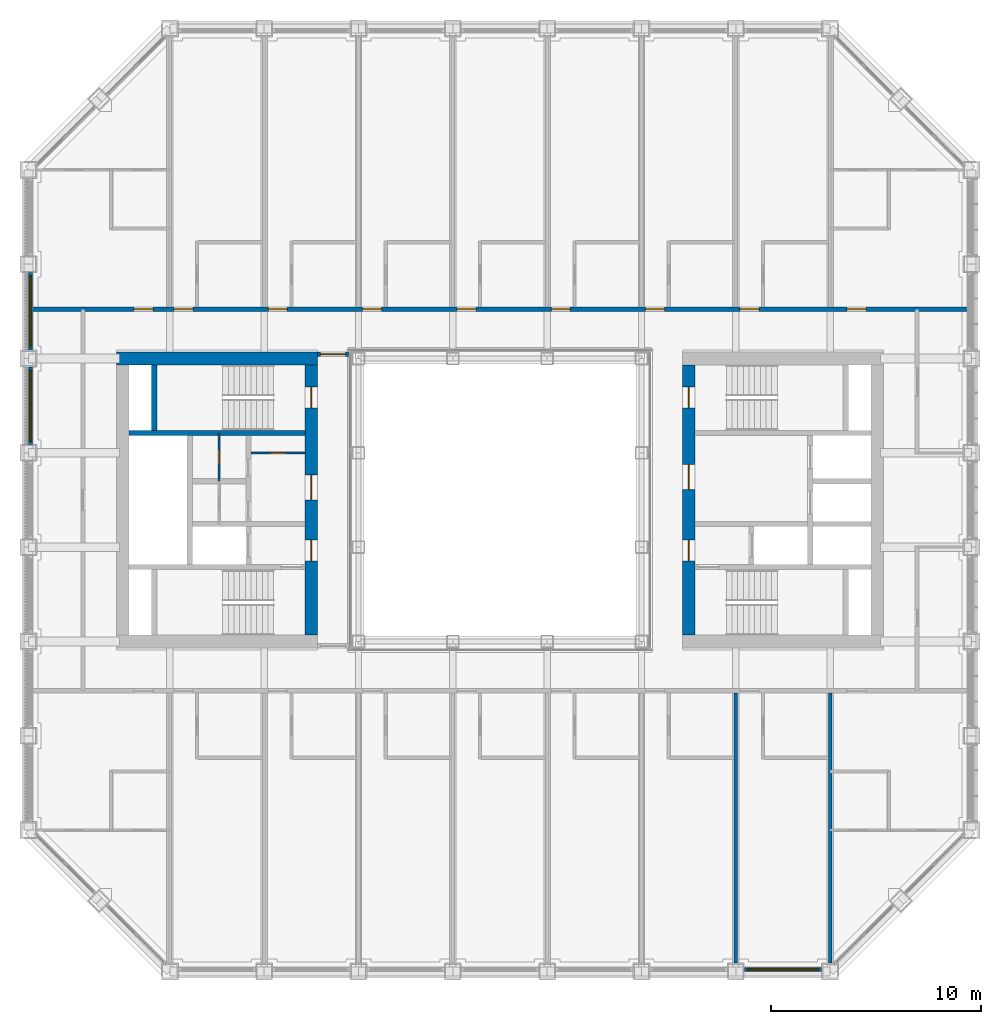
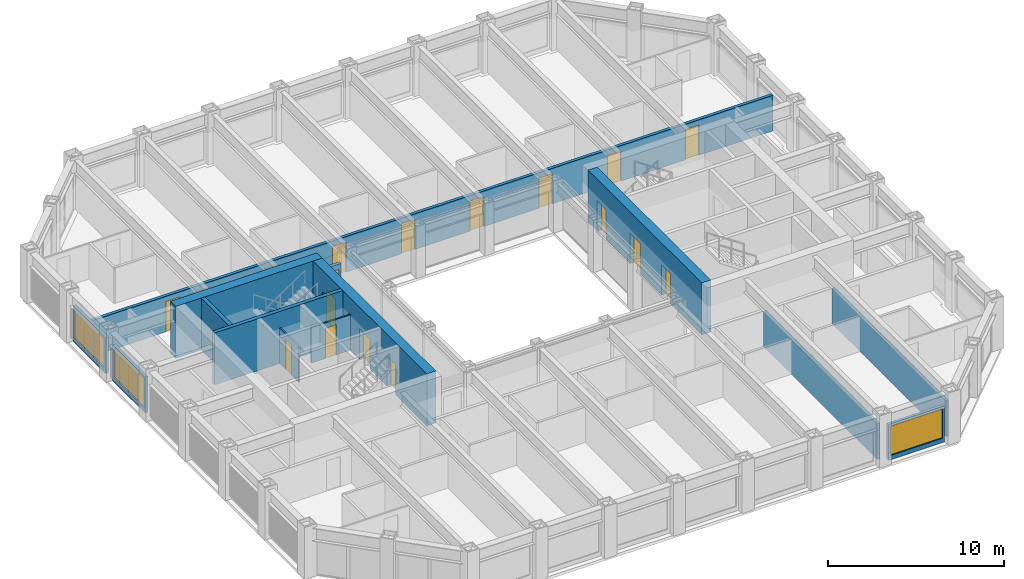
# One storey, part 12 of 18: 18 doors, 14 walls, 3 windows, 21 openings.
"""IFC4 building model written with IfcOpenShell, lengths in metres."""

from ifc_helpers import new_model, si_unit, direction, frame, frame_2d, origin, place, context, subcontext, project, spatial, rectangle, extrude, material, layer, layer_set, type_object, element, fill, save


model = new_model("IFC4")

# Units and contexts
model_context = context("Model", 3, precision=1e-05, world=origin(), true_north=direction((0.0, 1.0)))
body_context = subcontext(model_context, "Body", "Model", "MODEL_VIEW")
ifc_project = project(units=[si_unit("LENGTHUNIT", "METRE"), si_unit("AREAUNIT", "SQUARE_METRE"), si_unit("VOLUMEUNIT", "CUBIC_METRE"), si_unit("PLANEANGLEUNIT", "RADIAN"), si_unit("MASSUNIT", "GRAM", prefix="KILO")], contexts=[model_context])

# Site, building, storey
site_placement = place(None, origin())
site = spatial("IfcSite", under=ifc_project, at=site_placement, CompositionType="ELEMENT")
building_placement = place(site_placement, origin())
building = spatial("IfcBuilding", under=site, at=building_placement, Name="Msasa Ring Tower", CompositionType="ELEMENT")
storey_placement = place(building_placement, frame((0.0, 0.0, 122.0)))
storey = spatial("IfcBuildingStorey", under=building, at=storey_placement, Name="L31", CompositionType="ELEMENT", Elevation=122.0)

# Wall, openings, doors
ifc_material_1 = material(Name="Concrete C60/75", Category="concrete")
ifc_layer_1 = layer(ifc_material_1, 0.60009765625)
ifc_layer_set_1 = layer_set([ifc_layer_1], Name="CW2 CORE WALL 600")
wall_type_1 = type_object("IfcWallType", Name="CW2 CORE WALL 600", PredefinedType="SHEAR", material=ifc_layer_set_1)
wall_1_placement = place(storey_placement, frame((9.0, -6.449951171875, 0.0), z_axis=(0.0, 0.0, 1.0), x_axis=(0.0, 1.0, 0.0)))
wall_1 = element("IfcWall", 1, at=wall_1_placement, inside=storey, type_object=wall_type_1, Name="E core wall W L31", PredefinedType="SHEAR", context=body_context, shape_type="SweptSolid", body=[
    extrude(rectangle(XDim=12.89990234375, YDim=0.60009765625, at=frame_2d((6.449951171875, 0.0))), origin(), (0.0, 0.0, 1.0), 3.60009765625),
])
opening_1_placement = place(wall_1_placement, frame((3.550048828125, 0.0, 0.0)))
opening_1 = element("IfcOpeningElement", 2, at=opening_1_placement, cuts=wall_1, Name="Opening HA-034", PredefinedType="OPENING", context=body_context, shape_type="SweptSolid", body=[
    extrude(rectangle(XDim=1.0, YDim=2.10009765625, at=frame_2d((0.5, 1.050048828125))), frame((0.0, 0.31005859375, 0.0), z_axis=(0.0, -1.0, 0.0), x_axis=(1.0, 0.0, 0.0)), (0.0, 0.0, 1.0), 0.6201171875),
])
opening_2_placement = place(wall_1_placement, frame((6.949951171875, 0.0, 0.0)))
opening_2 = element("IfcOpeningElement", 3, at=opening_2_placement, cuts=wall_1, Name="Opening HA-028", PredefinedType="OPENING", context=body_context, shape_type="SweptSolid", body=[
    extrude(rectangle(XDim=1.199951171875, YDim=2.10009765625, at=frame_2d((0.60009765625, 1.050048828125))), frame((0.0, 0.31005859375, 0.0), z_axis=(0.0, -1.0, 0.0), x_axis=(1.0, 0.0, 0.0)), (0.0, 0.0, 1.0), 0.6201171875),
])
opening_3_placement = place(wall_1_placement, frame((10.85009765625, 0.0, 0.0)))
opening_3 = element("IfcOpeningElement", 4, at=opening_3_placement, cuts=wall_1, Name="Opening HA-024", PredefinedType="OPENING", context=body_context, shape_type="SweptSolid", body=[
    extrude(rectangle(XDim=1.0, YDim=2.10009765625, at=frame_2d((0.5, 1.050048828125))), frame((0.0, 0.31005859375, 0.0), z_axis=(0.0, -1.0, 0.0), x_axis=(1.0, 0.0, 0.0)), (0.0, 0.0, 1.0), 0.6201171875),
])
ifc_material_2 = material(Name="Timber door leaf in a steel frame", Category="steel")
door_type_1 = type_object("IfcDoorType", Name="D4 LOBBY DOOR 1000x2100", OperationType="SINGLE_SWING_LEFT", PredefinedType="DOOR", material=ifc_material_2)
door_1_placement = place(opening_1_placement, origin())
door_1 = element("IfcDoor", 5, at=door_1_placement, inside=storey, type_object=door_type_1, Name="Door L31-EFFL", OperationType="SINGLE_SWING_LEFT", OverallHeight=2.10009765625, OverallWidth=1.0, PredefinedType="DOOR", context=body_context, shape_type="SweptSolid", body=[
    extrude(rectangle(XDim=1.0, YDim=2.10009765625, at=frame_2d((0.5, 1.050048828125))), frame((0.0, 0.02490234375, 0.0), z_axis=(0.0, -1.0, 0.0), x_axis=(1.0, 0.0, 0.0)), (0.0, 0.0, 1.0), 0.050048828125),
])
fill(opening_1, door_1)
ifc_material_3 = material(Name="Timber door leaf in a steel frame", Category="steel")
door_type_2 = type_object("IfcDoorType", Name="D5 WIDE LOBBY DOOR 1200x2100", OperationType="SINGLE_SWING_LEFT", PredefinedType="DOOR", material=ifc_material_3)
door_2_placement = place(opening_2_placement, origin())
door_2 = element("IfcDoor", 6, at=door_2_placement, inside=storey, type_object=door_type_2, Name="Door L31-ELL", OperationType="SINGLE_SWING_RIGHT", OverallHeight=2.10009765625, OverallWidth=1.199951171875, PredefinedType="DOOR", context=body_context, shape_type="SweptSolid", body=[
    extrude(rectangle(XDim=1.199951171875, YDim=2.10009765625, at=frame_2d((0.60009765625, 1.050048828125))), frame((0.0, 0.02490234375, 0.0), z_axis=(0.0, -1.0, 0.0), x_axis=(1.0, 0.0, 0.0)), (0.0, 0.0, 1.0), 0.050048828125),
])
fill(opening_2, door_2)
ifc_material_4 = material(Name="Timber door leaf in a steel frame", Category="steel")
door_type_3 = type_object("IfcDoorType", Name="D6 STAIR DOOR 1000x2100", OperationType="SINGLE_SWING_LEFT", PredefinedType="DOOR", material=ifc_material_4)
door_3_placement = place(opening_3_placement, origin())
door_3 = element("IfcDoor", 7, at=door_3_placement, inside=storey, type_object=door_type_3, Name="Door L31-ESTB", OperationType="SINGLE_SWING_RIGHT", OverallHeight=2.10009765625, OverallWidth=1.0, PredefinedType="DOOR", context=body_context, shape_type="SweptSolid", body=[
    extrude(rectangle(XDim=1.0, YDim=2.10009765625, at=frame_2d((0.5, 1.050048828125))), frame((0.0, 0.02490234375, 0.0), z_axis=(0.0, -1.0, 0.0), x_axis=(1.0, 0.0, 0.0)), (0.0, 0.0, 1.0), 0.050048828125),
])
fill(opening_3, door_3)

# Wall
wall_2_placement = place(storey_placement, frame((-8.699951171875, 6.75, 0.0), z_axis=(0.0, 0.0, 1.0), x_axis=(-1.0, 0.0, 0.0)))
element("IfcWall", 8, at=wall_2_placement, inside=storey, type_object=wall_type_1, Name="W core wall N L31", PredefinedType="SHEAR", context=body_context, shape_type="SweptSolid", body=[
    extrude(rectangle(XDim=9.60009765625, YDim=0.60009765625, at=frame_2d((4.800048828125, 0.0))), origin(), (0.0, 0.0, 1.0), 3.60009765625),
])

# Wall, openings, doors
wall_3_placement = place(storey_placement, frame((-9.0, -6.449951171875, 0.0), z_axis=(0.0, 0.0, 1.0), x_axis=(0.0, 1.0, 0.0)))
wall_3 = element("IfcWall", 9, at=wall_3_placement, inside=storey, type_object=wall_type_1, Name="W core wall W L31", PredefinedType="SHEAR", context=body_context, shape_type="SweptSolid", body=[
    extrude(rectangle(XDim=12.89990234375, YDim=0.60009765625, at=frame_2d((6.449951171875, 0.0))), origin(), (0.0, 0.0, 1.0), 3.60009765625),
])
opening_4_placement = place(wall_3_placement, frame((3.550048828125, 0.0, 0.0)))
opening_4 = element("IfcOpeningElement", 10, at=opening_4_placement, cuts=wall_3, Name="Opening HA-033", PredefinedType="OPENING", context=body_context, shape_type="SweptSolid", body=[
    extrude(rectangle(XDim=1.0, YDim=2.10009765625, at=frame_2d((0.5, 1.050048828125))), frame((0.0, 0.31005859375, 0.0), z_axis=(0.0, -1.0, 0.0), x_axis=(1.0, 0.0, 0.0)), (0.0, 0.0, 1.0), 0.6201171875),
])
opening_5_placement = place(wall_3_placement, frame((6.449951171875, 0.0, 0.0)))
opening_5 = element("IfcOpeningElement", 11, at=opening_5_placement, cuts=wall_3, Name="Opening HA-029", PredefinedType="OPENING", context=body_context, shape_type="SweptSolid", body=[
    extrude(rectangle(XDim=1.199951171875, YDim=2.10009765625, at=frame_2d((0.60009765625, 1.050048828125))), frame((0.0, 0.31005859375, 0.0), z_axis=(0.0, -1.0, 0.0), x_axis=(1.0, 0.0, 0.0)), (0.0, 0.0, 1.0), 0.6201171875),
])
opening_6_placement = place(wall_3_placement, frame((10.85009765625, 0.0, 0.0)))
opening_6 = element("IfcOpeningElement", 12, at=opening_6_placement, cuts=wall_3, Name="Opening HA-023", PredefinedType="OPENING", context=body_context, shape_type="SweptSolid", body=[
    extrude(rectangle(XDim=1.0, YDim=2.10009765625, at=frame_2d((0.5, 1.050048828125))), frame((0.0, 0.31005859375, 0.0), z_axis=(0.0, -1.0, 0.0), x_axis=(1.0, 0.0, 0.0)), (0.0, 0.0, 1.0), 0.6201171875),
])
door_4_placement = place(opening_4_placement, origin())
door_4 = element("IfcDoor", 13, at=door_4_placement, inside=storey, type_object=door_type_1, Name="Door L31-WFFL", OperationType="SINGLE_SWING_LEFT", OverallHeight=2.10009765625, OverallWidth=1.0, PredefinedType="DOOR", context=body_context, shape_type="SweptSolid", body=[
    extrude(rectangle(XDim=1.0, YDim=2.10009765625, at=frame_2d((0.5, 1.050048828125))), frame((0.0, 0.02490234375, 0.0), z_axis=(0.0, -1.0, 0.0), x_axis=(1.0, 0.0, 0.0)), (0.0, 0.0, 1.0), 0.050048828125),
])
fill(opening_4, door_4)
door_5_placement = place(opening_5_placement, origin())
door_5 = element("IfcDoor", 14, at=door_5_placement, inside=storey, type_object=door_type_2, Name="Door L31-WLL", OperationType="SINGLE_SWING_RIGHT", OverallHeight=2.10009765625, OverallWidth=1.199951171875, PredefinedType="DOOR", context=body_context, shape_type="SweptSolid", body=[
    extrude(rectangle(XDim=1.199951171875, YDim=2.10009765625, at=frame_2d((0.60009765625, 1.050048828125))), frame((0.0, 0.02490234375, 0.0), z_axis=(0.0, -1.0, 0.0), x_axis=(1.0, 0.0, 0.0)), (0.0, 0.0, 1.0), 0.050048828125),
])
fill(opening_5, door_5)
door_6_placement = place(opening_6_placement, origin())
door_6 = element("IfcDoor", 15, at=door_6_placement, inside=storey, type_object=door_type_3, Name="Door L31-WSTB", OperationType="SINGLE_SWING_RIGHT", OverallHeight=2.10009765625, OverallWidth=1.0, PredefinedType="DOOR", context=body_context, shape_type="SweptSolid", body=[
    extrude(rectangle(XDim=1.0, YDim=2.10009765625, at=frame_2d((0.5, 1.050048828125))), frame((0.0, 0.02490234375, 0.0), z_axis=(0.0, -1.0, 0.0), x_axis=(1.0, 0.0, 0.0)), (0.0, 0.0, 1.0), 0.050048828125),
])
fill(opening_6, door_6)

# Walls
ifc_material_5 = material(Name="Concrete C60/75", Category="concrete")
ifc_layer_2 = layer(ifc_material_5, 0.25)
ifc_layer_set_2 = layer_set([ifc_layer_2], Name="CW4 CORE INNER WALL 250")
wall_type_2 = type_object("IfcWallType", Name="CW4 CORE INNER WALL 250", PredefinedType="SHEAR", material=ifc_layer_set_2)
wall_4_placement = place(storey_placement, frame((-9.300048828125, 3.199951171875, 0.0), z_axis=(0.0, 0.0, 1.0), x_axis=(-1.0, 0.0, 0.0)))
element("IfcWall", 16, at=wall_4_placement, inside=storey, type_object=wall_type_2, Name="W core wall STAIRB L31", PredefinedType="SHEAR", context=body_context, shape_type="SweptSolid", body=[
    extrude(rectangle(XDim=8.39990234375, YDim=0.25, at=frame_2d((4.199951171875, 0.0))), origin(), (0.0, 0.0, 1.0), 3.60009765625),
])
wall_5_placement = place(storey_placement, frame((-16.5, 3.324951171875, 0.0), z_axis=(0.0, 0.0, 1.0), x_axis=(0.0, 1.0, 0.0)))
element("IfcWall", 17, at=wall_5_placement, inside=storey, type_object=wall_type_2, Name="W core wall RISERB L31", PredefinedType="SHEAR", context=body_context, shape_type="SweptSolid", body=[
    extrude(rectangle(XDim=3.125, YDim=0.25, at=frame_2d((1.5625, 0.0))), origin(), (0.0, 0.0, 1.0), 3.60009765625),
])

# Wall, opening, window
ifc_material_6 = material(Name="Terracotta rainscreen on blockwork", Category="masonry")
ifc_layer_3 = layer(ifc_material_6, 0.199951171875)
ifc_layer_set_3 = layer_set([ifc_layer_3], Name="FW1 TERRACOTTA-LINED INFILL BAY WALL 200")
wall_type_3 = type_object("IfcWallType", Name="FW1 TERRACOTTA-LINED INFILL BAY WALL 200", PredefinedType="SOLIDWALL", material=ifc_layer_set_3)
wall_6_placement = place(storey_placement, frame((11.655029296875, -22.39990234375, 0.0), z_axis=(0.0, 0.0, 1.0), x_axis=(1.0, 0.0, 0.0)))
wall_6 = element("IfcWall", 18, at=wall_6_placement, inside=storey, type_object=wall_type_3, Name="Infill bay wall S L31 06", PredefinedType="SOLIDWALL", context=body_context, shape_type="SweptSolid", body=[
    extrude(rectangle(XDim=3.68994140625, YDim=0.199951171875, at=frame_2d((1.844970703125, 0.0))), origin(), (0.0, 0.0, 1.0), 2.47900390625),
])
opening_7_placement = place(wall_6_placement, frame((0.14501953125, 0.0, 0.300048828125)))
opening_7 = element("IfcOpeningElement", 19, at=opening_7_placement, cuts=wall_6, Name="Opening WN2", PredefinedType="OPENING", context=body_context, shape_type="SweptSolid", body=[
    extrude(rectangle(XDim=3.39990234375, YDim=2.029052734375, at=frame_2d((1.699951171875, 1.0146484375))), frame((0.0, 0.10986328125, 0.0), z_axis=(0.0, -1.0, 0.0), x_axis=(1.0, 0.0, 0.0)), (0.0, 0.0, 1.0), 0.219970703125),
])
ifc_material_7 = material(Name="Aluminium frame with clear glass", Category="aluminium")
window_type = type_object("IfcWindowType", Name="WN2 GUEST ROOM WINDOW 3400x2029", PartitioningType="SINGLE_PANEL", PredefinedType="WINDOW", material=ifc_material_7)
window_1_placement = place(opening_7_placement, origin())
window_1 = element("IfcWindow", 20, at=window_1_placement, inside=storey, type_object=window_type, Name="Window S L31 06", OverallHeight=2.029052734375, OverallWidth=3.39990234375, PartitioningType="SINGLE_PANEL", PredefinedType="WINDOW", context=body_context, shape_type="SweptSolid", body=[
    extrude(rectangle(XDim=3.39990234375, YDim=2.029052734375, at=frame_2d((1.699951171875, 1.0146484375))), frame((0.0, 0.030029296875, 0.0), z_axis=(0.0, -1.0, 0.0), x_axis=(1.0, 0.0, 0.0)), (0.0, 0.0, 1.0), 0.06005859375),
])
fill(opening_7, window_1)

wall_7_placement = place(storey_placement, frame((-22.39990234375, 2.655029296875, 0.0), z_axis=(0.0, 0.0, 1.0), x_axis=(0.0, 1.0, 0.0)))
wall_7 = element("IfcWall", 21, at=wall_7_placement, inside=storey, type_object=wall_type_3, Name="Infill bay wall W L31 31", PredefinedType="SOLIDWALL", context=body_context, shape_type="SweptSolid", body=[
    extrude(rectangle(XDim=3.68994140625, YDim=0.199951171875, at=frame_2d((1.844970703125, 0.0))), origin(), (0.0, 0.0, 1.0), 2.47900390625),
])
opening_8_placement = place(wall_7_placement, frame((0.14501953125, 0.0, 0.300048828125)))
opening_8 = element("IfcOpeningElement", 22, at=opening_8_placement, cuts=wall_7, Name="Opening WN2", PredefinedType="OPENING", context=body_context, shape_type="SweptSolid", body=[
    extrude(rectangle(XDim=3.39990234375, YDim=2.029052734375, at=frame_2d((1.699951171875, 1.0146484375))), frame((0.0, 0.10986328125, 0.0), z_axis=(0.0, -1.0, 0.0), x_axis=(1.0, 0.0, 0.0)), (0.0, 0.0, 1.0), 0.219970703125),
])
window_2_placement = place(opening_8_placement, origin())
window_2 = element("IfcWindow", 23, at=window_2_placement, inside=storey, type_object=window_type, Name="Window W L31 31", OverallHeight=2.029052734375, OverallWidth=3.39990234375, PartitioningType="SINGLE_PANEL", PredefinedType="WINDOW", context=body_context, shape_type="SweptSolid", body=[
    extrude(rectangle(XDim=3.39990234375, YDim=2.029052734375, at=frame_2d((1.699951171875, 1.0146484375))), frame((0.0, 0.030029296875, 0.0), z_axis=(0.0, -1.0, 0.0), x_axis=(1.0, 0.0, 0.0)), (0.0, 0.0, 1.0), 0.06005859375),
])
fill(opening_8, window_2)

wall_8_placement = place(storey_placement, frame((-22.39990234375, 7.155029296875, 0.0), z_axis=(0.0, 0.0, 1.0), x_axis=(0.0, 1.0, 0.0)))
wall_8 = element("IfcWall", 24, at=wall_8_placement, inside=storey, type_object=wall_type_3, Name="Infill bay wall W L31 32", PredefinedType="SOLIDWALL", context=body_context, shape_type="SweptSolid", body=[
    extrude(rectangle(XDim=3.68994140625, YDim=0.199951171875, at=frame_2d((1.844970703125, 0.0))), origin(), (0.0, 0.0, 1.0), 2.47900390625),
])
opening_9_placement = place(wall_8_placement, frame((0.14501953125, 0.0, 0.300048828125)))
opening_9 = element("IfcOpeningElement", 25, at=opening_9_placement, cuts=wall_8, Name="Opening WN2", PredefinedType="OPENING", context=body_context, shape_type="SweptSolid", body=[
    extrude(rectangle(XDim=3.39990234375, YDim=2.029052734375, at=frame_2d((1.699951171875, 1.0146484375))), frame((0.0, 0.10986328125, 0.0), z_axis=(0.0, -1.0, 0.0), x_axis=(1.0, 0.0, 0.0)), (0.0, 0.0, 1.0), 0.219970703125),
])
window_3_placement = place(opening_9_placement, origin())
window_3 = element("IfcWindow", 26, at=window_3_placement, inside=storey, type_object=window_type, Name="Window W L31 32", OverallHeight=2.029052734375, OverallWidth=3.39990234375, PartitioningType="SINGLE_PANEL", PredefinedType="WINDOW", context=body_context, shape_type="SweptSolid", body=[
    extrude(rectangle(XDim=3.39990234375, YDim=2.029052734375, at=frame_2d((1.699951171875, 1.0146484375))), frame((0.0, 0.030029296875, 0.0), z_axis=(0.0, -1.0, 0.0), x_axis=(1.0, 0.0, 0.0)), (0.0, 0.0, 1.0), 0.06005859375),
])
fill(opening_9, window_3)

# Wall, opening, door
ifc_material_8 = material(Name="Concrete blockwork", Category="masonry")
ifc_layer_4 = layer(ifc_material_8, 0.199951171875)
ifc_layer_set_4 = layer_set([ifc_layer_4], Name="PT1 CORRIDOR WALL 200")
wall_type_4 = type_object("IfcWallType", Name="PT1 CORRIDOR WALL 200", PredefinedType="PARTITIONING", material=ifc_layer_set_4)
wall_9_placement = place(storey_placement, frame((-8.699951171875, 6.949951171875, 0.0), z_axis=(0.0, 0.0, 1.0), x_axis=(1.0, 0.0, 0.0)))
wall_9 = element("IfcWall", 27, at=wall_9_placement, inside=storey, type_object=wall_type_4, Name="Corridor wall L31-SDWN", PredefinedType="PARTITIONING", context=body_context, shape_type="SweptSolid", body=[
    extrude(rectangle(XDim=1.469970703125, YDim=0.199951171875, at=frame_2d((0.73486328125, 0.0))), origin(), (0.0, 0.0, 1.0), 2.473388671875),
])
opening_10_placement = place(wall_9_placement, frame((0.135009765625, 0.0, 0.0)))
opening_10 = element("IfcOpeningElement", 28, at=opening_10_placement, cuts=wall_9, Name="Opening HA-021", PredefinedType="OPENING", context=body_context, shape_type="SweptSolid", body=[
    extrude(rectangle(XDim=1.199951171875, YDim=2.10009765625, at=frame_2d((0.60009765625, 1.050048828125))), frame((0.0, 0.10986328125, 0.0), z_axis=(0.0, -1.0, 0.0), x_axis=(1.0, 0.0, 0.0)), (0.0, 0.0, 1.0), 0.219970703125),
])
ifc_material_9 = material(Name="Timber door leaf in a steel frame", Category="steel")
door_type_4 = type_object("IfcDoorType", Name="D25 CORRIDOR PAIR OF SMOKE DOORS 1200x2100", OperationType="DOUBLE_DOOR_DOUBLE_SWING", PredefinedType="DOOR", material=ifc_material_9)
door_7_placement = place(opening_10_placement, origin())
door_7 = element("IfcDoor", 29, at=door_7_placement, inside=storey, type_object=door_type_4, Name="Door L31-SDWN", OperationType="DOUBLE_DOOR_DOUBLE_SWING", OverallHeight=2.10009765625, OverallWidth=1.199951171875, PredefinedType="DOOR", context=body_context, shape_type="SweptSolid", body=[
    extrude(rectangle(XDim=1.199951171875, YDim=2.10009765625, at=frame_2d((0.60009765625, 1.050048828125))), frame((0.0, 0.02490234375, 0.0), z_axis=(0.0, -1.0, 0.0), x_axis=(1.0, 0.0, 0.0)), (0.0, 0.0, 1.0), 0.050048828125),
])
fill(opening_10, door_7)

# Wall, openings, doors
wall_10_placement = place(storey_placement, frame((-22.300048828125, 9.10009765625, 0.0), z_axis=(0.0, 0.0, 1.0), x_axis=(1.0, 0.0, 0.0)))
wall_10 = element("IfcWall", 30, at=wall_10_placement, inside=storey, type_object=wall_type_4, Name="Corridor wall L31-CORRN0", PredefinedType="PARTITIONING", context=body_context, shape_type="SweptSolid", body=[
    extrude(rectangle(XDim=44.60009765625, YDim=0.199951171875, at=frame_2d((22.300048828125, 0.0))), origin(), (0.0, 0.0, 1.0), 2.473388671875),
])
opening_11_placement = place(wall_10_placement, frame((6.75, 0.0, 0.0)))
opening_11 = element("IfcOpeningElement", 31, at=opening_11_placement, cuts=wall_10, Name="Opening HA-013", PredefinedType="OPENING", context=body_context, shape_type="SweptSolid", body=[
    extrude(rectangle(XDim=0.89990234375, YDim=2.10009765625, at=frame_2d((0.449951171875, 1.050048828125))), frame((0.0, 0.10986328125, 0.0), z_axis=(0.0, -1.0, 0.0), x_axis=(1.0, 0.0, 0.0)), (0.0, 0.0, 1.0), 0.219970703125),
])
opening_12_placement = place(wall_10_placement, frame((11.25, 0.0, 0.0)))
opening_12 = element("IfcOpeningElement", 32, at=opening_12_placement, cuts=wall_10, Name="Opening HA-014", PredefinedType="OPENING", context=body_context, shape_type="SweptSolid", body=[
    extrude(rectangle(XDim=0.89990234375, YDim=2.10009765625, at=frame_2d((0.449951171875, 1.050048828125))), frame((0.0, 0.10986328125, 0.0), z_axis=(0.0, -1.0, 0.0), x_axis=(1.0, 0.0, 0.0)), (0.0, 0.0, 1.0), 0.219970703125),
])
opening_13_placement = place(wall_10_placement, frame((15.75, 0.0, 0.0)))
opening_13 = element("IfcOpeningElement", 33, at=opening_13_placement, cuts=wall_10, Name="Opening HA-015", PredefinedType="OPENING", context=body_context, shape_type="SweptSolid", body=[
    extrude(rectangle(XDim=0.89990234375, YDim=2.10009765625, at=frame_2d((0.449951171875, 1.050048828125))), frame((0.0, 0.10986328125, 0.0), z_axis=(0.0, -1.0, 0.0), x_axis=(1.0, 0.0, 0.0)), (0.0, 0.0, 1.0), 0.219970703125),
])
opening_14_placement = place(wall_10_placement, frame((20.25, 0.0, 0.0)))
opening_14 = element("IfcOpeningElement", 34, at=opening_14_placement, cuts=wall_10, Name="Opening HA-016", PredefinedType="OPENING", context=body_context, shape_type="SweptSolid", body=[
    extrude(rectangle(XDim=0.89990234375, YDim=2.10009765625, at=frame_2d((0.449951171875, 1.050048828125))), frame((0.0, 0.10986328125, 0.0), z_axis=(0.0, -1.0, 0.0), x_axis=(1.0, 0.0, 0.0)), (0.0, 0.0, 1.0), 0.219970703125),
])
opening_15_placement = place(wall_10_placement, frame((24.75, 0.0, 0.0)))
opening_15 = element("IfcOpeningElement", 35, at=opening_15_placement, cuts=wall_10, Name="Opening HA-017", PredefinedType="OPENING", context=body_context, shape_type="SweptSolid", body=[
    extrude(rectangle(XDim=0.89990234375, YDim=2.10009765625, at=frame_2d((0.449951171875, 1.050048828125))), frame((0.0, 0.10986328125, 0.0), z_axis=(0.0, -1.0, 0.0), x_axis=(1.0, 0.0, 0.0)), (0.0, 0.0, 1.0), 0.219970703125),
])
opening_16_placement = place(wall_10_placement, frame((29.25, 0.0, 0.0)))
opening_16 = element("IfcOpeningElement", 36, at=opening_16_placement, cuts=wall_10, Name="Opening HA-018", PredefinedType="OPENING", context=body_context, shape_type="SweptSolid", body=[
    extrude(rectangle(XDim=0.89990234375, YDim=2.10009765625, at=frame_2d((0.449951171875, 1.050048828125))), frame((0.0, 0.10986328125, 0.0), z_axis=(0.0, -1.0, 0.0), x_axis=(1.0, 0.0, 0.0)), (0.0, 0.0, 1.0), 0.219970703125),
])
opening_17_placement = place(wall_10_placement, frame((33.75, 0.0, 0.0)))
opening_17 = element("IfcOpeningElement", 37, at=opening_17_placement, cuts=wall_10, Name="Opening HA-019", PredefinedType="OPENING", context=body_context, shape_type="SweptSolid", body=[
    extrude(rectangle(XDim=0.89990234375, YDim=2.10009765625, at=frame_2d((0.449951171875, 1.050048828125))), frame((0.0, 0.10986328125, 0.0), z_axis=(0.0, -1.0, 0.0), x_axis=(1.0, 0.0, 0.0)), (0.0, 0.0, 1.0), 0.219970703125),
])
opening_18_placement = place(wall_10_placement, frame((38.85009765625, 0.0, 0.0)))
opening_18 = element("IfcOpeningElement", 38, at=opening_18_placement, cuts=wall_10, Name="Opening HA-020", PredefinedType="OPENING", context=body_context, shape_type="SweptSolid", body=[
    extrude(rectangle(XDim=0.89990234375, YDim=2.10009765625, at=frame_2d((0.449951171875, 1.050048828125))), frame((0.0, 0.10986328125, 0.0), z_axis=(0.0, -1.0, 0.0), x_axis=(1.0, 0.0, 0.0)), (0.0, 0.0, 1.0), 0.219970703125),
])
opening_19_placement = place(wall_10_placement, frame((4.85009765625, 0.0, 0.0)))
opening_19 = element("IfcOpeningElement", 39, at=opening_19_placement, cuts=wall_10, Name="Opening HA-012", PredefinedType="OPENING", context=body_context, shape_type="SweptSolid", body=[
    extrude(rectangle(XDim=0.89990234375, YDim=2.10009765625, at=frame_2d((0.449951171875, 1.050048828125))), frame((0.0, 0.10986328125, 0.0), z_axis=(0.0, -1.0, 0.0), x_axis=(1.0, 0.0, 0.0)), (0.0, 0.0, 1.0), 0.219970703125),
])
ifc_material_10 = material(Name="Timber door leaf in a steel frame", Category="steel")
door_type_5 = type_object("IfcDoorType", Name="D1 SINGLE DOOR TO CORRIDOR 900x2100", OperationType="SINGLE_SWING_LEFT", PredefinedType="DOOR", material=ifc_material_10)
door_8_placement = place(opening_11_placement, origin())
door_8 = element("IfcDoor", 40, at=door_8_placement, inside=storey, type_object=door_type_5, Name="Door L31-GN00", OperationType="SINGLE_SWING_LEFT", OverallHeight=2.10009765625, OverallWidth=0.89990234375, PredefinedType="DOOR", context=body_context, shape_type="SweptSolid", body=[
    extrude(rectangle(XDim=0.89990234375, YDim=2.10009765625, at=frame_2d((0.449951171875, 1.050048828125))), frame((0.0, 0.02490234375, 0.0), z_axis=(0.0, -1.0, 0.0), x_axis=(1.0, 0.0, 0.0)), (0.0, 0.0, 1.0), 0.050048828125),
])
fill(opening_11, door_8)
door_9_placement = place(opening_12_placement, origin())
door_9 = element("IfcDoor", 41, at=door_9_placement, inside=storey, type_object=door_type_5, Name="Door L31-GN01", OperationType="SINGLE_SWING_LEFT", OverallHeight=2.10009765625, OverallWidth=0.89990234375, PredefinedType="DOOR", context=body_context, shape_type="SweptSolid", body=[
    extrude(rectangle(XDim=0.89990234375, YDim=2.10009765625, at=frame_2d((0.449951171875, 1.050048828125))), frame((0.0, 0.02490234375, 0.0), z_axis=(0.0, -1.0, 0.0), x_axis=(1.0, 0.0, 0.0)), (0.0, 0.0, 1.0), 0.050048828125),
])
fill(opening_12, door_9)
door_10_placement = place(opening_13_placement, origin())
door_10 = element("IfcDoor", 42, at=door_10_placement, inside=storey, type_object=door_type_5, Name="Door L31-GN02", OperationType="SINGLE_SWING_LEFT", OverallHeight=2.10009765625, OverallWidth=0.89990234375, PredefinedType="DOOR", context=body_context, shape_type="SweptSolid", body=[
    extrude(rectangle(XDim=0.89990234375, YDim=2.10009765625, at=frame_2d((0.449951171875, 1.050048828125))), frame((0.0, 0.02490234375, 0.0), z_axis=(0.0, -1.0, 0.0), x_axis=(1.0, 0.0, 0.0)), (0.0, 0.0, 1.0), 0.050048828125),
])
fill(opening_13, door_10)
door_11_placement = place(opening_14_placement, origin())
door_11 = element("IfcDoor", 43, at=door_11_placement, inside=storey, type_object=door_type_5, Name="Door L31-GN03", OperationType="SINGLE_SWING_LEFT", OverallHeight=2.10009765625, OverallWidth=0.89990234375, PredefinedType="DOOR", context=body_context, shape_type="SweptSolid", body=[
    extrude(rectangle(XDim=0.89990234375, YDim=2.10009765625, at=frame_2d((0.449951171875, 1.050048828125))), frame((0.0, 0.02490234375, 0.0), z_axis=(0.0, -1.0, 0.0), x_axis=(1.0, 0.0, 0.0)), (0.0, 0.0, 1.0), 0.050048828125),
])
fill(opening_14, door_11)
door_12_placement = place(opening_15_placement, origin())
door_12 = element("IfcDoor", 44, at=door_12_placement, inside=storey, type_object=door_type_5, Name="Door L31-GN04", OperationType="SINGLE_SWING_RIGHT", OverallHeight=2.10009765625, OverallWidth=0.89990234375, PredefinedType="DOOR", context=body_context, shape_type="SweptSolid", body=[
    extrude(rectangle(XDim=0.89990234375, YDim=2.10009765625, at=frame_2d((0.449951171875, 1.050048828125))), frame((0.0, 0.02490234375, 0.0), z_axis=(0.0, -1.0, 0.0), x_axis=(1.0, 0.0, 0.0)), (0.0, 0.0, 1.0), 0.050048828125),
])
fill(opening_15, door_12)
door_13_placement = place(opening_16_placement, origin())
door_13 = element("IfcDoor", 45, at=door_13_placement, inside=storey, type_object=door_type_5, Name="Door L31-GN05", OperationType="SINGLE_SWING_RIGHT", OverallHeight=2.10009765625, OverallWidth=0.89990234375, PredefinedType="DOOR", context=body_context, shape_type="SweptSolid", body=[
    extrude(rectangle(XDim=0.89990234375, YDim=2.10009765625, at=frame_2d((0.449951171875, 1.050048828125))), frame((0.0, 0.02490234375, 0.0), z_axis=(0.0, -1.0, 0.0), x_axis=(1.0, 0.0, 0.0)), (0.0, 0.0, 1.0), 0.050048828125),
])
fill(opening_16, door_13)
door_14_placement = place(opening_17_placement, origin())
door_14 = element("IfcDoor", 46, at=door_14_placement, inside=storey, type_object=door_type_5, Name="Door L31-GN06", OperationType="SINGLE_SWING_RIGHT", OverallHeight=2.10009765625, OverallWidth=0.89990234375, PredefinedType="DOOR", context=body_context, shape_type="SweptSolid", body=[
    extrude(rectangle(XDim=0.89990234375, YDim=2.10009765625, at=frame_2d((0.449951171875, 1.050048828125))), frame((0.0, 0.02490234375, 0.0), z_axis=(0.0, -1.0, 0.0), x_axis=(1.0, 0.0, 0.0)), (0.0, 0.0, 1.0), 0.050048828125),
])
fill(opening_17, door_14)
ifc_material_11 = material(Name="Timber door leaf in a steel frame", Category="steel")
door_type_6 = type_object("IfcDoorType", Name="D2 ENTRANCE DOOR 900x2100", OperationType="SINGLE_SWING_LEFT", PredefinedType="DOOR", material=ifc_material_11)
door_15_placement = place(opening_18_placement, origin())
door_15 = element("IfcDoor", 47, at=door_15_placement, inside=storey, type_object=door_type_6, Name="Door L31-CSNE", OperationType="SINGLE_SWING_RIGHT", OverallHeight=2.10009765625, OverallWidth=0.89990234375, PredefinedType="DOOR", context=body_context, shape_type="SweptSolid", body=[
    extrude(rectangle(XDim=0.89990234375, YDim=2.10009765625, at=frame_2d((0.449951171875, 1.050048828125))), frame((0.0, 0.02490234375, 0.0), z_axis=(0.0, -1.0, 0.0), x_axis=(1.0, 0.0, 0.0)), (0.0, 0.0, 1.0), 0.050048828125),
])
fill(opening_18, door_15)
door_16_placement = place(opening_19_placement, origin())
door_16 = element("IfcDoor", 48, at=door_16_placement, inside=storey, type_object=door_type_6, Name="Door L31-CSNW", OperationType="SINGLE_SWING_LEFT", OverallHeight=2.10009765625, OverallWidth=0.89990234375, PredefinedType="DOOR", context=body_context, shape_type="SweptSolid", body=[
    extrude(rectangle(XDim=0.89990234375, YDim=2.10009765625, at=frame_2d((0.449951171875, 1.050048828125))), frame((0.0, 0.02490234375, 0.0), z_axis=(0.0, -1.0, 0.0), x_axis=(1.0, 0.0, 0.0)), (0.0, 0.0, 1.0), 0.050048828125),
])
fill(opening_19, door_16)

# Wall, opening, door
ifc_material_12 = material(Name="Gypsum board on steel studs", Category="steel")
ifc_layer_5 = layer(ifc_material_12, 0.10009765625)
ifc_layer_set_5 = layer_set([ifc_layer_5], Name="PT2 STUD PARTITION 100")
wall_type_5 = type_object("IfcWallType", Name="PT2 STUD PARTITION 100", PredefinedType="PARTITIONING", material=ifc_layer_set_5)
wall_11_placement = place(storey_placement, frame((-11.875, 2.25, 0.0), z_axis=(0.0, 0.0, 1.0), x_axis=(1.0, 0.0, 0.0)))
wall_11 = element("IfcWall", 49, at=wall_11_placement, inside=storey, type_object=wall_type_5, Name="Partition L31-WCP", PredefinedType="PARTITIONING", context=body_context, shape_type="SweptSolid", body=[
    extrude(rectangle(XDim=2.574951171875, YDim=0.10009765625, at=frame_2d((1.28759765625, 0.0))), origin(), (0.0, 0.0, 1.0), 2.473388671875),
])
opening_20_placement = place(wall_11_placement, frame((0.9375, 0.0, 0.0)))
opening_20 = element("IfcOpeningElement", 50, at=opening_20_placement, cuts=wall_11, Name="Opening HA-025", PredefinedType="OPENING", context=body_context, shape_type="SweptSolid", body=[
    extrude(rectangle(XDim=0.699951171875, YDim=2.10009765625, at=frame_2d((0.35009765625, 1.050048828125))), frame((0.0, 0.06005859375, 0.0), z_axis=(0.0, -1.0, 0.0), x_axis=(1.0, 0.0, 0.0)), (0.0, 0.0, 1.0), 0.1201171875),
])
ifc_material_13 = material(Name="Timber door leaf in a steel frame", Category="steel")
door_type_7 = type_object("IfcDoorType", Name="D32 INTERNAL NARROW STORE DOOR 700x2100", OperationType="SINGLE_SWING_LEFT", PredefinedType="DOOR", material=ifc_material_13)
door_17_placement = place(opening_20_placement, origin())
door_17 = element("IfcDoor", 51, at=door_17_placement, inside=storey, type_object=door_type_7, Name="Door L31-WCP", OperationType="SINGLE_SWING_LEFT", OverallHeight=2.10009765625, OverallWidth=0.699951171875, PredefinedType="DOOR", context=body_context, shape_type="SweptSolid", body=[
    extrude(rectangle(XDim=0.699951171875, YDim=2.10009765625, at=frame_2d((0.35009765625, 1.050048828125))), frame((0.0, 0.02490234375, 0.0), z_axis=(0.0, -1.0, 0.0), x_axis=(1.0, 0.0, 0.0)), (0.0, 0.0, 1.0), 0.050048828125),
])
fill(opening_20, door_17)

wall_12_placement = place(storey_placement, frame((-13.39990234375, 0.89990234375, 0.0), z_axis=(0.0, 0.0, 1.0), x_axis=(0.0, 1.0, 0.0)))
wall_12 = element("IfcWall", 52, at=wall_12_placement, inside=storey, type_object=wall_type_5, Name="Partition L31-WRP2", PredefinedType="PARTITIONING", context=body_context, shape_type="SweptSolid", body=[
    extrude(rectangle(XDim=2.300048828125, YDim=0.10009765625, at=frame_2d((1.14990234375, 0.0))), origin(), (0.0, 0.0, 1.0), 2.473388671875),
])
opening_21_placement = place(wall_12_placement, frame((0.800048828125, 0.0, 0.0)))
opening_21 = element("IfcOpeningElement", 53, at=opening_21_placement, cuts=wall_12, Name="Opening HA-026", PredefinedType="OPENING", context=body_context, shape_type="SweptSolid", body=[
    extrude(rectangle(XDim=0.699951171875, YDim=2.10009765625, at=frame_2d((0.35009765625, 1.050048828125))), frame((0.0, 0.06005859375, 0.0), z_axis=(0.0, -1.0, 0.0), x_axis=(1.0, 0.0, 0.0)), (0.0, 0.0, 1.0), 0.1201171875),
])
door_18_placement = place(opening_21_placement, origin())
door_18 = element("IfcDoor", 54, at=door_18_placement, inside=storey, type_object=door_type_7, Name="Door L31-WRC2", OperationType="SINGLE_SWING_LEFT", OverallHeight=2.10009765625, OverallWidth=0.699951171875, PredefinedType="DOOR", context=body_context, shape_type="SweptSolid", body=[
    extrude(rectangle(XDim=0.699951171875, YDim=2.10009765625, at=frame_2d((0.35009765625, 1.050048828125))), frame((0.0, 0.02490234375, 0.0), z_axis=(0.0, -1.0, 0.0), x_axis=(1.0, 0.0, 0.0)), (0.0, 0.0, 1.0), 0.050048828125),
])
fill(opening_21, door_18)

# Walls
ifc_material_14 = material(Name="Twin steel studs, two layers of acoustic board each face, mineral wool", Category="steel")
ifc_layer_6 = layer(ifc_material_14, 0.175048828125)
ifc_layer_set_6 = layer_set([ifc_layer_6], Name="PT5 GUEST ROOM SEPARATING WALL 175")
wall_type_6 = type_object("IfcWallType", Name="PT5 GUEST ROOM SEPARATING WALL 175", PredefinedType="PARTITIONING", material=ifc_layer_set_6)
for number, where, z_axis, x_axis, name in (
    (55, (11.25, -22.10009765625, 0.0), (0.0, 0.0, 1.0), (0.0, 1.0, 0.0), "Partition L31-PWS+11.25"),
    (56, (15.75, -22.10009765625, 0.0), (0.0, 0.0, 1.0), (0.0, 1.0, 0.0), "Partition L31-PWS+15.75"),
):
    element("IfcWall", number, at=place(storey_placement, frame(where, z_axis=z_axis, x_axis=x_axis)), inside=storey, type_object=wall_type_6, Name=name, PredefinedType="PARTITIONING", context=body_context, shape_type="SweptSolid", body=[
        extrude(rectangle(XDim=12.900146484375, YDim=0.175048828125, at=frame_2d((6.4501953125, 0.0))), origin(), (0.0, 0.0, 1.0), 2.473388671875),
    ])

save(model, "model.ifc")
